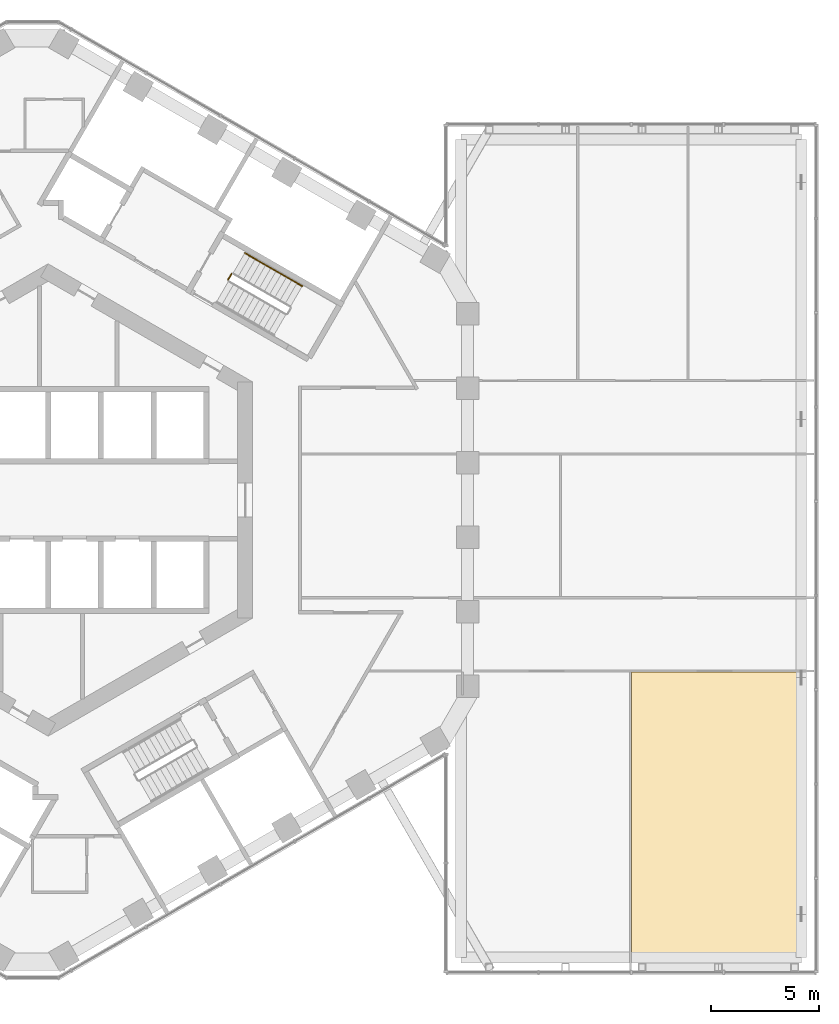
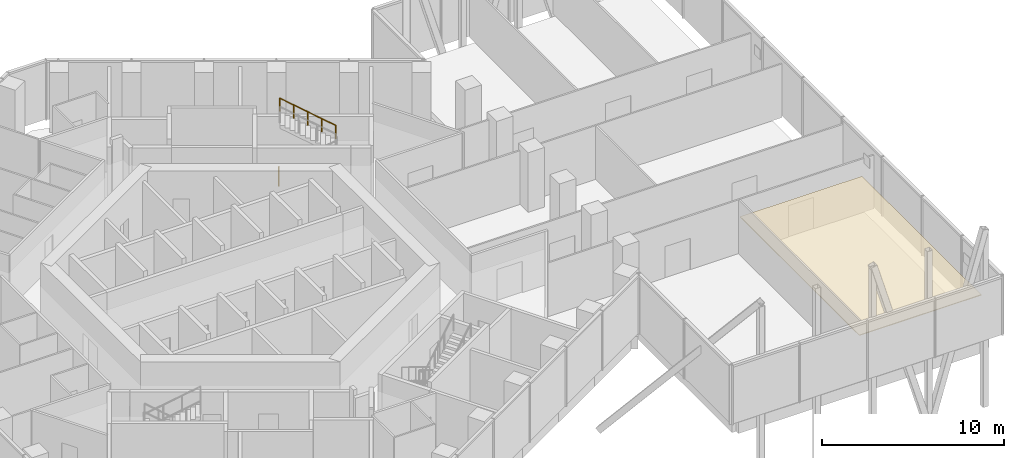
# One storey, part 24 of 24: 3 railings, 1 covering.
"""IFC4 building model written with IfcOpenShell, lengths in metres."""

from ifc_helpers import new_model, si_unit, direction, frame, origin, origin_2d, place, context, subcontext, project, spatial, polyline, circle, outline, extrude, material, layer, layer_set, type_object, element, save


model = new_model("IFC4")

# Units and contexts
model_context = context("Model", 3, precision=1e-05, world=origin(), true_north=direction((0.0, 1.0)))
body_context = subcontext(model_context, "Body", "Model", "MODEL_VIEW")
ifc_project = project(units=[si_unit("LENGTHUNIT", "METRE"), si_unit("AREAUNIT", "SQUARE_METRE"), si_unit("VOLUMEUNIT", "CUBIC_METRE"), si_unit("PLANEANGLEUNIT", "RADIAN"), si_unit("MASSUNIT", "GRAM", prefix="KILO")], contexts=[model_context])

# Site, building, storey
site_placement = place(None, origin())
site = spatial("IfcSite", under=ifc_project, at=site_placement, CompositionType="ELEMENT")
building_placement = place(site_placement, origin())
building = spatial("IfcBuilding", under=site, at=building_placement, Name="Ayvan Gate Tower", CompositionType="ELEMENT")
storey_placement = place(building_placement, frame((0.0, 0.0, 124.5)))
storey = spatial("IfcBuildingStorey", under=building, at=storey_placement, Name="L33", CompositionType="ELEMENT", Elevation=124.5)

# Covering
ifc_material_1 = material(Name="Plasterboard suspended ceiling")
ifc_layer = layer(ifc_material_1, 0.050048828125)
ifc_layer_set = layer_set([ifc_layer], Name="Plasterboard suspended ceiling")
covering_type = type_object("IfcCoveringType", Name="CT-SUSP-50", PredefinedType="CEILING", material=ifc_layer_set)
covering_placement = place(storey_placement, frame((0.0, 0.0, 2.39990234375)))
element("IfcCovering", 1, at=covering_placement, inside=storey, type_object=covering_type, Name="Ceiling Study Lounge 2 L33", PredefinedType="CEILING", context=body_context, shape_type="SweptSolid", body=[
    extrude(outline(polyline([(27.0986328125, -7.993408203125), (34.835693359375, -7.993408203125), (34.835693359375, -21.10009765625), (27.0986328125, -21.10009765625), (27.0986328125, -7.993408203125)])), origin(), (0.0, 0.0, 1.0), 0.050048828125),
])

# Railings
ifc_material_2 = material(Name="Stainless steel balustrade", Category="steel")
railing_type_1 = type_object("IfcRailingType", Name="RL-GUARD-1100", PredefinedType="GUARDRAIL", material=ifc_material_2)
railing_1_placement = place(storey_placement, frame((8.36279296875, 10.23486328125, 0.0)))
element("IfcRailing", 2, at=railing_1_placement, inside=storey, type_object=railing_type_1, Name="L33 STS1 stair guard 4", PredefinedType="GUARDRAIL", context=body_context, shape_type="SweptSolid", body=[
    extrude(circle(Radius=0.02392578125, at=origin_2d()), frame((0.0, 0.0, 1.076171875), z_axis=(0.500290723946, 0.86585748916, 0.0), x_axis=(-0.86585748916, 0.500290723946, 0.0)), (0.0, 0.0, 1.0), 0.309814453125),
    extrude(circle(Radius=0.02099609375, at=origin_2d()), origin(), (0.0, 0.0, 1.0), 1.052001953125),
    extrude(circle(Radius=0.02099609375, at=origin_2d()), frame((0.155029296875, 0.268310546875, 0.0)), (0.0, 0.0, 1.0), 1.052001953125),
])
railing_type_2 = type_object("IfcRailingType", Name="RL-HANDRAIL-900", PredefinedType="HANDRAIL", material=ifc_material_2)
railing_2_placement = place(storey_placement, frame((11.803466796875, 9.93408203125, 2.166748046875)))
element("IfcRailing", 3, at=railing_2_placement, inside=storey, type_object=railing_type_2, Name="L33 STS1 stair handrail 3", PredefinedType="HANDRAIL", context=body_context, shape_type="SweptSolid", body=[
    extrude(circle(Radius=0.02392578125, at=origin_2d()), frame((0.0, 0.0, 0.8759765625), z_axis=(-0.744215763664, 0.42966438195, 0.511401423539), x_axis=(-0.499992328818, -0.866029832698, 0.0)), (0.0, 0.0, 1.0), 1.792236328125),
    extrude(circle(Radius=0.02099609375, at=origin_2d()), origin(), (0.0, 0.0, 1.0), 0.851806640625),
    extrude(circle(Radius=0.02099609375, at=origin_2d()), frame((-0.6669921875, 0.385009765625, 0.458251953125)), (0.0, 0.0, 1.0), 0.851806640625),
    extrude(circle(Radius=0.02099609375, at=origin_2d()), frame((-1.333740234375, 0.77001953125, 0.91650390625)), (0.0, 0.0, 1.0), 0.851806640625),
])
railing_3_placement = place(storey_placement, frame((10.4697265625, 10.7041015625, 3.083251953125)))
element("IfcRailing", 4, at=railing_3_placement, inside=storey, type_object=railing_type_2, Name="L33 STS1 stair handrail 4", PredefinedType="HANDRAIL", context=body_context, shape_type="SweptSolid", body=[
    extrude(circle(Radius=0.02392578125, at=origin_2d()), frame((0.0, 0.0, 0.8759765625), z_axis=(-0.7441639146, 0.429634447492, 0.511502013422), x_axis=(-0.499992328818, -0.866029832698, 0.0)), (0.0, 0.0, 1.0), 1.792236328125),
    extrude(circle(Radius=0.02099609375, at=origin_2d()), origin(), (0.0, 0.0, 1.0), 0.851806640625),
    extrude(circle(Radius=0.02099609375, at=origin_2d()), frame((-0.6669921875, 0.385009765625, 0.45849609375)), (0.0, 0.0, 1.0), 0.851806640625),
    extrude(circle(Radius=0.02099609375, at=origin_2d()), frame((-1.333740234375, 0.77001953125, 0.916748046875)), (0.0, 0.0, 1.0), 0.851806640625),
])

save(model, "model.ifc")
